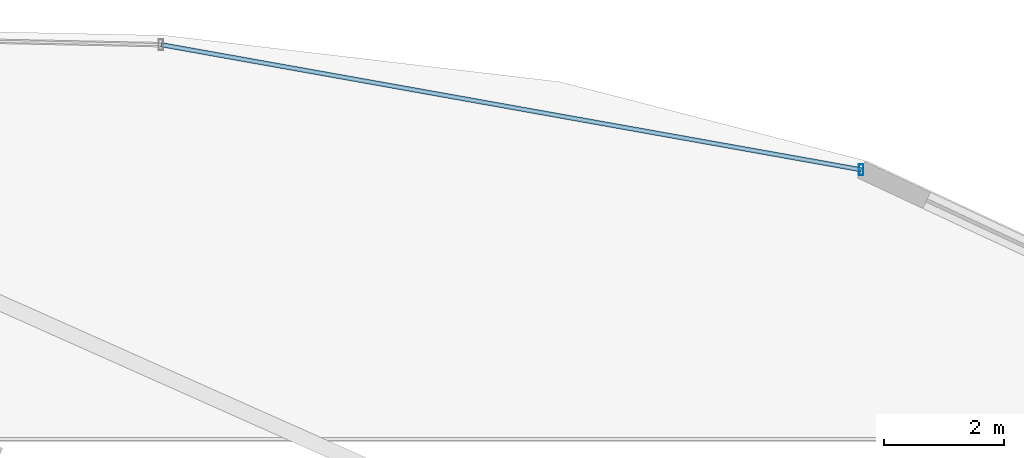
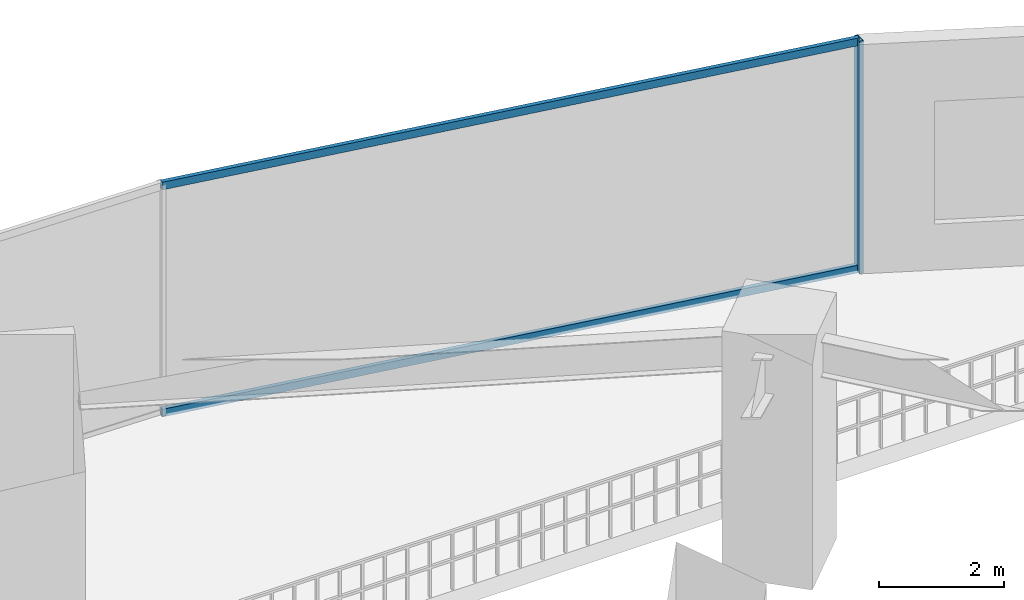
# One storey, part 21 of 36: 3 members, 1 element without a shape of its own.
"""IFC4 building model written with IfcOpenShell, lengths in metres."""

from ifc_helpers import new_model, si_unit, direction, frame, origin, origin_2d, place, context, subcontext, project, spatial, hollow_rectangle, extrude, material, material_profile, profile_set, type_object, element, aggregate, save


model = new_model("IFC4")

# Units and contexts
model_context = context("Model", 3, precision=1e-05, world=origin(), true_north=direction((0.0, 1.0)))
body_context = subcontext(model_context, "Body", "Model", "MODEL_VIEW")
ifc_project = project(units=[si_unit("LENGTHUNIT", "METRE"), si_unit("AREAUNIT", "SQUARE_METRE"), si_unit("VOLUMEUNIT", "CUBIC_METRE"), si_unit("PLANEANGLEUNIT", "RADIAN"), si_unit("MASSUNIT", "GRAM", prefix="KILO")], contexts=[model_context])

# Site, building, storey
site_placement = place(None, origin())
site = spatial("IfcSite", under=ifc_project, at=site_placement, CompositionType="ELEMENT")
building_placement = place(site_placement, origin())
building = spatial("IfcBuilding", under=site, at=building_placement, Name="Vorneva Point Tower", CompositionType="ELEMENT")
storey_placement = place(building_placement, origin())
storey = spatial("IfcBuildingStorey", under=building, at=storey_placement, Name="L00", CompositionType="ELEMENT", Elevation=0.0)

# Curtain wall, members
ifc_material = material(Name="Pale anodised aluminium", Category="aluminium")
curtain_wall_type = type_object("IfcCurtainWallType", Name="CW-POD-SYS", PredefinedType="NOTDEFINED", material=ifc_material)
curtain_wall_placement = place(storey_placement, origin())
curtain_wall = element("IfcCurtainWall", 1, at=curtain_wall_placement, inside=storey, type_object=curtain_wall_type, Name="L00 Unitised Curtain Wall CW-L00-R02", PredefinedType="NOTDEFINED")
ifc_material_profile_1 = material_profile(ifc_material, hollow_rectangle(XDim=0.074951171875, YDim=0.179931640625, WallThickness=0.00390625, at=origin_2d()), Name="AL-MUL 180x75x4")
ifc_profile_set_1 = profile_set([ifc_material_profile_1], Name="Pale anodised aluminium")
member_type_1 = type_object("IfcMemberType", Name="CW-MUL-180", PredefinedType="MULLION", material=ifc_profile_set_1)
member_1_placement = place(storey_placement, frame((62.128173828125, 46.943603515625, -0.0400390625), z_axis=(0.0, 0.0, 1.0), x_axis=(1.0, 0.0, 0.0)))
member_1 = element("IfcMember", 2, at=member_1_placement, type_object=member_type_1, Name="CW-L00-R02 Mullion 01", PredefinedType="MULLION", context=body_context, shape_type="SweptSolid", body=[
    extrude(hollow_rectangle(XDim=0.074951171875, YDim=0.179931640625, WallThickness=0.00390625, at=origin_2d()), origin(), (0.0, 0.0, 1.0), 4.550048828125),
])
ifc_material_profile_2 = material_profile(ifc_material, hollow_rectangle(XDim=0.074951171875, YDim=0.14990234375, WallThickness=0.00390625, at=origin_2d()), Name="AL-TRN 150x75x4")
ifc_profile_set_2 = profile_set([ifc_material_profile_2], Name="Pale anodised aluminium")
member_type_2 = type_object("IfcMemberType", Name="CW-TRN-150", PredefinedType="USERDEFINED", material=ifc_profile_set_2)
member_2_placement = place(storey_placement, frame((62.128173828125, 46.943603515625, 0.02001953125), z_axis=(-0.984410919677, 0.175883885617, 0.0), x_axis=(-0.175883885617, -0.984410919677, 0.0)))
member_2 = element("IfcMember", 3, at=member_2_placement, type_object=member_type_2, Name="CW-L00-R02 Transom 01.1", ObjectType="TRANSOM", PredefinedType="USERDEFINED", context=body_context, shape_type="SweptSolid", body=[
    extrude(hollow_rectangle(XDim=0.074951171875, YDim=0.14990234375, WallThickness=0.00390625, at=origin_2d()), origin(), (0.0, 0.0, 1.0), 11.870849609375),
])
member_3_placement = place(storey_placement, frame((62.128173828125, 46.943603515625, 4.4599609375), z_axis=(-0.984410919677, 0.175883885617, 0.0), x_axis=(-0.175883885617, -0.984410919677, 0.0)))
member_3 = element("IfcMember", 4, at=member_3_placement, type_object=member_type_2, Name="CW-L00-R02 Transom 01.2", ObjectType="TRANSOM", PredefinedType="USERDEFINED", context=body_context, shape_type="SweptSolid", body=[
    extrude(hollow_rectangle(XDim=0.074951171875, YDim=0.14990234375, WallThickness=0.00390625, at=origin_2d()), origin(), (0.0, 0.0, 1.0), 11.870849609375),
])
aggregate(curtain_wall, [member_1, member_2, member_3])

save(model, "model.ifc")
